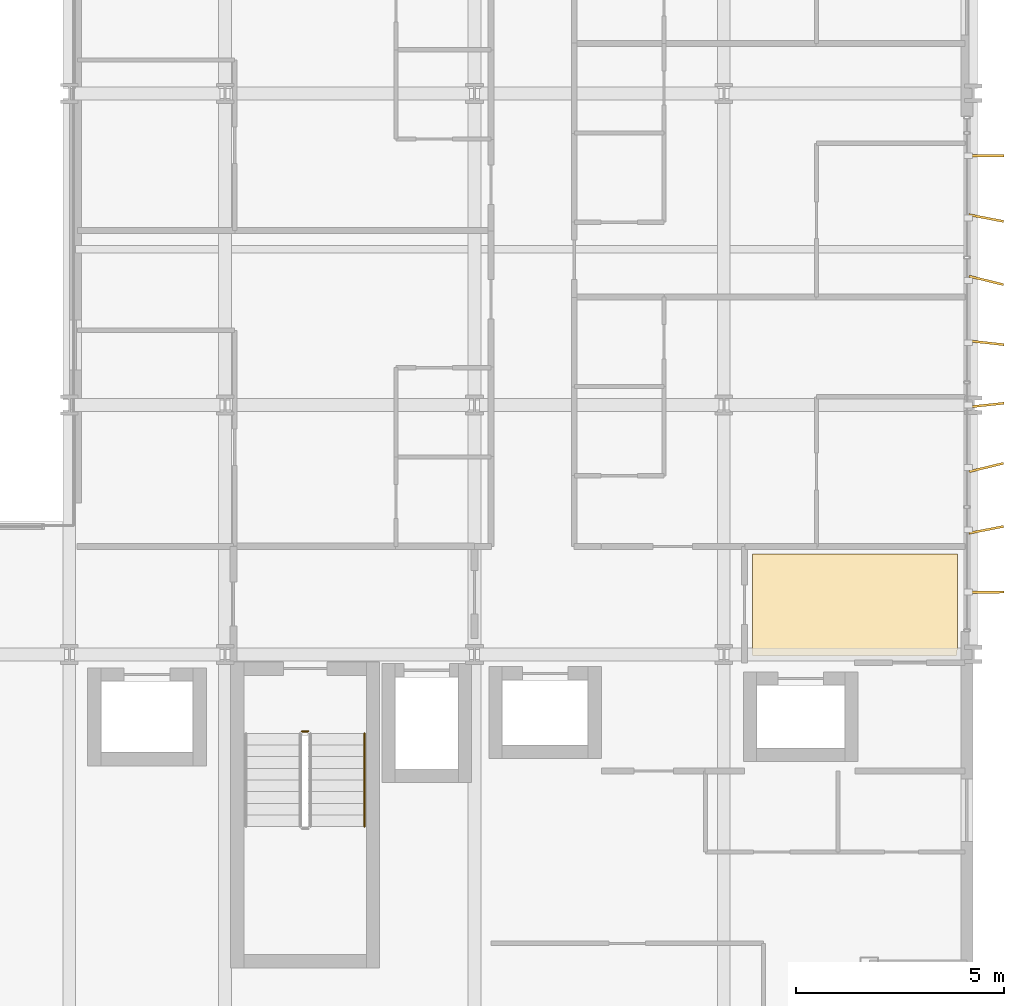
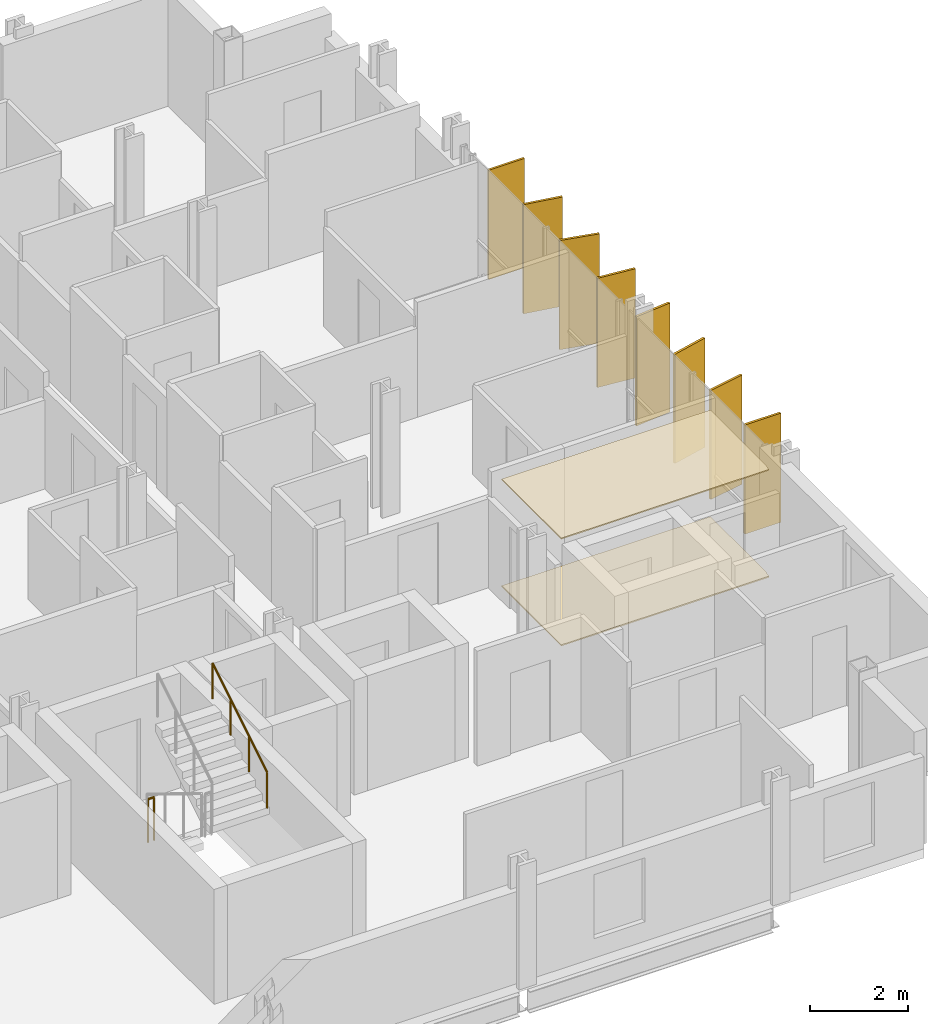
# One storey, part 38 of 39: 8 shading devices, 2 coverings, 2 railings.
"""IFC4 building model written with IfcOpenShell, lengths in metres."""

from ifc_helpers import new_model, si_unit, direction, frame, origin, origin_2d, place, context, subcontext, project, spatial, polyline, rectangle, circle, outline, extrude, material, layer, layer_set, type_object, element, save


model = new_model("IFC4")

# Units and contexts
model_context = context("Model", 3, precision=1e-05, world=origin(), true_north=direction((0.0, 1.0)))
body_context = subcontext(model_context, "Body", "Model", "MODEL_VIEW")
ifc_project = project(units=[si_unit("LENGTHUNIT", "METRE"), si_unit("AREAUNIT", "SQUARE_METRE"), si_unit("VOLUMEUNIT", "CUBIC_METRE"), si_unit("PLANEANGLEUNIT", "RADIAN"), si_unit("MASSUNIT", "GRAM", prefix="KILO")], contexts=[model_context])

# Site, building, storey
site_placement = place(None, origin())
site = spatial("IfcSite", under=ifc_project, at=site_placement, CompositionType="ELEMENT")
building_placement = place(site_placement, origin())
building = spatial("IfcBuilding", under=site, at=building_placement, Name="Brevholm Reach", CompositionType="ELEMENT")
storey_placement = place(building_placement, frame((0.0, 0.0, 34.199951171875)))
storey = spatial("IfcBuildingStorey", under=building, at=storey_placement, Name="L08", CompositionType="ELEMENT", Elevation=34.199951171875)

# Coverings
ifc_material_1 = material(Name="Moisture-Resistant Skimmed Gypsum Plasterboard Ceiling", Category="gypsum")
ifc_layer_1 = layer(ifc_material_1, 0.030029296875)
ifc_layer_set_1 = layer_set([ifc_layer_1], Name="Moisture-Resistant Skimmed Gypsum Plasterboard Ceiling")
covering_type_1 = type_object("IfcCoveringType", Name="COV-CLG-GYP", PredefinedType="CEILING", material=ifc_layer_set_1)
covering_1_placement = place(storey_placement, frame((0.0, 0.0, 2.670166015625)))
element("IfcCovering", 1, at=covering_1_placement, inside=storey, type_object=covering_type_1, Name="L08 Suspended Ceiling L08-30", PredefinedType="CEILING", context=body_context, shape_type="SweptSolid", body=[
    extrude(outline(polyline([(59.6201171875, 12.419921875), (59.6201171875, 10.123779296875), (59.6171875, 10.1162109375), (59.607666015625, 10.077880859375), (59.601806640625, 10.039306640625), (59.60009765625, 10.0), (59.60107421875, 9.97998046875), (54.68408203125, 9.97998046875), (54.68408203125, 12.419921875), (59.6201171875, 12.419921875)])), origin(), (0.0, 0.0, 1.0), 0.02978515625),
])
ifc_material_2 = material(Name="Honed Portland-Aggregate Resin Terrazzo Flooring", Category="concrete")
ifc_layer_2 = layer(ifc_material_2, 0.031982421875)
ifc_layer_set_2 = layer_set([ifc_layer_2], Name="Honed Portland-Aggregate Resin Terrazzo Flooring")
covering_type_2 = type_object("IfcCoveringType", Name="COV-FLR-TRZ", PredefinedType="FLOORING", material=ifc_layer_set_2)
covering_2_placement = place(storey_placement, origin())
element("IfcCovering", 2, at=covering_2_placement, inside=storey, type_object=covering_type_2, Name="L08 Floor Finish L08-30", PredefinedType="FLOORING", context=body_context, shape_type="SweptSolid", body=[
    extrude(outline(polyline([(59.6201171875, 12.419921875), (59.6201171875, 10.123779296875), (59.6171875, 10.1162109375), (59.607666015625, 10.077880859375), (59.601806640625, 10.039306640625), (59.60009765625, 10.0), (59.60107421875, 9.97998046875), (54.68408203125, 9.97998046875), (54.68408203125, 12.419921875), (59.6201171875, 12.419921875)])), origin(), (0.0, 0.0, 1.0), 0.031982421875),
])

# Railings
ifc_material_3 = material(Name="Brushed Stainless Steel EN 1.4401 Continuous Handrail", Category="steel")
railing_type_1 = type_object("IfcRailingType", Name="RAL-HND-950", PredefinedType="HANDRAIL", material=ifc_material_3)
railing_1_placement = place(storey_placement, frame((45.35009765625, 5.860107421875, 1.72216796875)))
element("IfcRailing", 3, at=railing_1_placement, inside=storey, type_object=railing_type_1, Name="L08 ST-2 stair handrail 2", PredefinedType="HANDRAIL", context=body_context, shape_type="SweptSolid", body=[
    extrude(circle(Radius=0.02392578125, at=origin_2d()), frame((0.0, 0.0, 0.8857421875), z_axis=(0.0, 0.851747552033, 0.523952390591), x_axis=(-1.0, 0.0, 0.0)), (0.0, 0.0, 1.0), 2.6298828125),
    extrude(circle(Radius=0.02099609375, at=origin_2d()), origin(), (0.0, 0.0, 1.0), 0.86181640625),
    extrude(circle(Radius=0.02099609375, at=origin_2d()), frame((0.0, 0.74658203125, 0.459228515625)), (0.0, 0.0, 1.0), 0.86181640625),
    extrude(circle(Radius=0.02099609375, at=origin_2d()), frame((0.0, 1.493408203125, 0.918701171875)), (0.0, 0.0, 1.0), 0.86181640625),
    extrude(circle(Radius=0.02099609375, at=origin_2d()), frame((0.0, 2.239990234375, 1.3779296875)), (0.0, 0.0, 1.0), 0.86181640625),
])
ifc_material_4 = material(Name="Painted Tubular Galvanised Steel S275JR Stair Guard", Category="steel")
railing_type_2 = type_object("IfcRailingType", Name="RAL-STG-1120", PredefinedType="BALUSTRADE", material=ifc_material_4)
railing_2_placement = place(storey_placement, frame((43.85009765625, 8.14990234375, 0.0)))
element("IfcRailing", 4, at=railing_2_placement, inside=storey, type_object=railing_type_2, Name="L08 ST-2 stair guard 4", PredefinedType="BALUSTRADE", context=body_context, shape_type="SweptSolid", body=[
    extrude(circle(Radius=0.02392578125, at=origin_2d()), frame((0.0, 0.0, 1.076171875), z_axis=(1.0, 0.0, 0.0), x_axis=(0.0, 1.0, 0.0)), (0.0, 0.0, 1.0), 0.14990234375),
    extrude(circle(Radius=0.02099609375, at=origin_2d()), origin(), (0.0, 0.0, 1.0), 1.052001953125),
    extrude(circle(Radius=0.02099609375, at=origin_2d()), frame((0.14990234375, 0.0, 0.0)), (0.0, 0.0, 1.0), 1.052001953125),
])

# Shading devices
ifc_material_5 = material(Name="Perforated Champagne-Bronze Anodised Aluminium", Category="aluminium")
ifc_layer_3 = layer(ifc_material_5, 0.054931640625)
ifc_layer_set_3 = layer_set([ifc_layer_3], Name="Perforated Champagne-Bronze Anodised Aluminium")
shading_device_type = type_object("IfcShadingDeviceType", Name="SHD-FIN-850", PredefinedType="USERDEFINED", material=ifc_layer_set_3)
for number, where, z_axis, x_axis, name in (
    (5, (60.31494140625, 11.5, 0.070068359375), (0.0, 0.0, 1.0), (0.999997879254, 0.002059487061, 0.0), "L08 Perforated Solar Screen Fin 1"),
    (6, (60.31494140625, 13.0, 0.070068359375), (0.0, 0.0, 1.0), (0.981563854817, 0.19113450478, 0.0), "L08 Perforated Solar Screen Fin 2"),
    (7, (60.31494140625, 14.5, 0.070068359375), (0.0, 0.0, 1.0), (0.97187064084, 0.235515301992, 0.0), "L08 Perforated Solar Screen Fin 3"),
    (8, (60.31494140625, 16.0, 0.070068359375), (0.0, 0.0, 1.0), (0.994580119963, 0.103973001184, 0.0), "L08 Perforated Solar Screen Fin 4"),
    (9, (60.31494140625, 17.5, 0.070068359375), (0.0, 0.0, 1.0), (0.994188602291, -0.107652324982, 0.0), "L08 Perforated Solar Screen Fin 5"),
    (10, (60.31494140625, 19.0, 0.070068359375), (0.0, 0.0, 1.0), (0.971652367646, -0.236414205259, 0.0), "L08 Perforated Solar Screen Fin 6"),
    (11, (60.31494140625, 20.5, 0.070068359375), (0.0, 0.0, 1.0), (0.982051004903, -0.188615544875, 0.0), "L08 Perforated Solar Screen Fin 7"),
    (12, (60.31494140625, 22.0, 0.070068359375), (0.0, 0.0, 1.0), (0.999997879254, 0.002059487061, 0.0), "L08 Perforated Solar Screen Fin 8"),
):
    element("IfcShadingDevice", number, at=place(storey_placement, frame(where, z_axis=z_axis, x_axis=x_axis)), inside=storey, type_object=shading_device_type, Name=name, ObjectType="SCREEN", PredefinedType="USERDEFINED", context=body_context, shape_type="SweptSolid", body=[
        extrude(rectangle(XDim=0.85009765625, YDim=0.054931640625, at=origin_2d()), origin(), (0.0, 0.0, 1.0), 2.72998046875),
    ])

save(model, "model.ifc")
